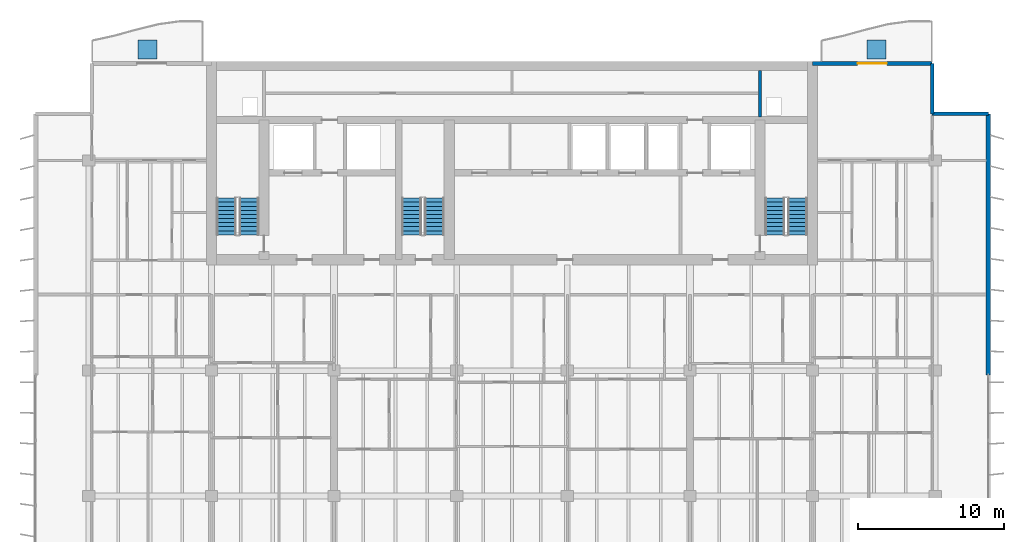
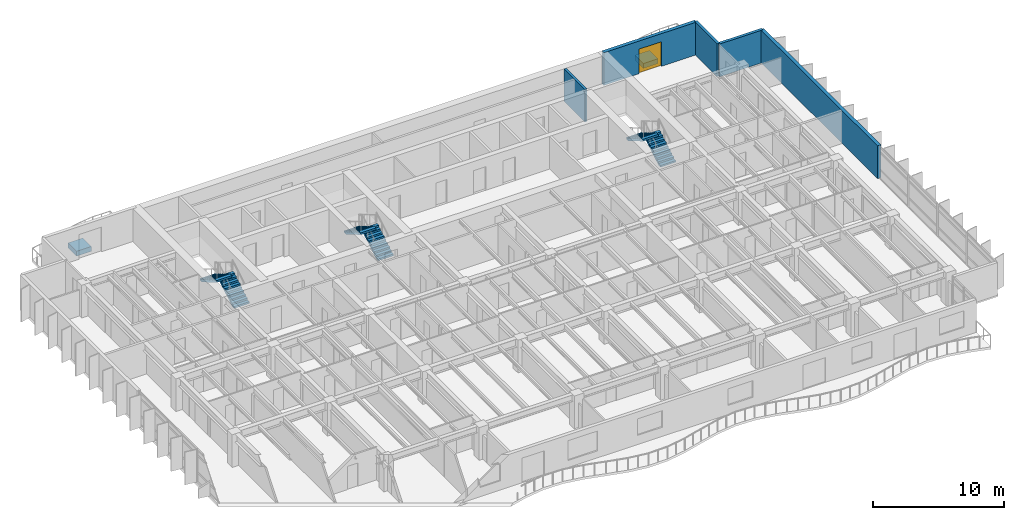
# One storey, part 14 of 18: 6 stair flights, 5 walls, 2 discrete accessories, 1 door, 1 opening, 3 elements without a shape of their own.
"""IFC4 building model written with IfcOpenShell, lengths in metres."""

import ifcopenshell
import ifcopenshell.guid

model = None  # the IFC model being written
_history = None  # IfcOwnerHistory: only IFC2X3 demands one
_inside = {}  # id of a spatial element -> (the spatial element, [elements in it])
_under = {}  # id of a project, library or spatial element -> (it, [spatial elements below it])
_declared = {}  # id of a project -> (the project, [libraries it declares])
_typed = {}  # id of a type object -> (the type object, [elements of that type])
_made_of = {}  # id of a material, layer set ... -> (it, [elements and type objects made of it])


def new_model(schema):
    """Start an empty IFC model of exactly this schema.

    Asked for "IFC4X3", IfcOpenShell would pick the latest addendum, in which some entities
    have other attributes; the version numbers below select the first issue.
    IFC2X3 requires an IfcOwnerHistory on every rooted entity: one is made here for all.
    """
    global model, _history
    if schema == "IFC4X3":
        model = ifcopenshell.file(schema_version=(4, 3, 0, 0))
    else:
        model = ifcopenshell.file(schema=schema)
    _inside.clear()
    _under.clear()
    _declared.clear()
    _typed.clear()
    _made_of.clear()
    _history = None
    if model.schema == "IFC2X3":
        org = make("IfcOrganization", Name="unknown")
        user = make(
            "IfcPersonAndOrganization",
            ThePerson=make("IfcPerson", FamilyName="unknown"),
            TheOrganization=org,
        )
        app = make(
            "IfcApplication",
            ApplicationDeveloper=org,
            Version="unknown",
            ApplicationFullName="unknown",
            ApplicationIdentifier="unknown",
        )
        _history = make(
            "IfcOwnerHistory",
            OwningUser=user,
            OwningApplication=app,
            ChangeAction="ADDED",
            CreationDate=0,
        )
    return model


def make(cls, **values):
    """One entity of the class cls with the attributes given. An attribute that is None is left unset."""
    return model.create_entity(
        cls, **{name: value for name, value in values.items() if value is not None}
    )


def rooted(cls, **values):
    """An entity with a GlobalId (a new one), such as an element, a storey or a relation."""
    return make(cls, GlobalId=ifcopenshell.guid.new(), OwnerHistory=_history, **values)


def si_unit(unit_type, name, prefix=None):
    """IfcSIUnit, for example si_unit("LENGTHUNIT", "METRE", prefix="MILLI")."""
    return make("IfcSIUnit", UnitType=unit_type, Prefix=prefix, Name=name)


def assignment(units):
    """IfcUnitAssignment: the units of a project."""
    return None if units is None else make("IfcUnitAssignment", Units=units)


def point(xyz):
    """IfcCartesianPoint."""
    return None if xyz is None else make("IfcCartesianPoint", Coordinates=xyz)


def direction(xyz):
    """IfcDirection."""
    return None if xyz is None else make("IfcDirection", DirectionRatios=xyz)


def frame(location, z_axis=None, x_axis=None):
    """IfcAxis2Placement3D, a coordinate frame: its origin and axes. An axis left out is left unset."""
    return make(
        "IfcAxis2Placement3D",
        Location=point(location),
        Axis=direction(z_axis),
        RefDirection=direction(x_axis),
    )


def frame_2d(location, x_axis=None):
    """IfcAxis2Placement2D, a coordinate frame in the plane: its origin and x axis."""
    return make(
        "IfcAxis2Placement2D", Location=point(location), RefDirection=direction(x_axis)
    )


def origin():
    """The frame at (0, 0, 0) with its axes left unset."""
    return frame((0.0, 0.0, 0.0))


def origin_2d():
    """The frame at (0, 0) in the plane with its x axis left unset."""
    return frame_2d((0.0, 0.0))


def place(relative_to, where):
    """IfcLocalPlacement: puts the frame where relative to a parent placement (None: the world)."""
    return make(
        "IfcLocalPlacement", PlacementRelTo=relative_to, RelativePlacement=where
    )


def context(
    kind, dimensions, precision=None, world=None, true_north=None, identifier=None
):
    """IfcGeometricRepresentationContext, for example the 3D "Model" context."""
    return make(
        "IfcGeometricRepresentationContext",
        ContextIdentifier=identifier,
        ContextType=kind,
        CoordinateSpaceDimension=dimensions,
        Precision=precision,
        WorldCoordinateSystem=world,
        TrueNorth=true_north,
    )


def subcontext(parent, identifier, kind, view, scale=None):
    """IfcGeometricRepresentationSubContext, for example "Body" below "Model"."""
    return make(
        "IfcGeometricRepresentationSubContext",
        ContextIdentifier=identifier,
        ContextType=kind,
        ParentContext=parent,
        TargetScale=scale,
        TargetView=view,
    )


def project(units=None, contexts=None):
    """IfcProject with its units and contexts."""
    return rooted(
        "IfcProject",
        Name="project",
        RepresentationContexts=contexts,
        UnitsInContext=assignment(units),
    )


def spatial(cls, under=None, at=None, **own):
    """A site, building, storey or space (cls), placed at a placement, below another one or the project."""
    s = rooted(cls, ObjectPlacement=at, **own)
    if under is not None:
        _under.setdefault(under.id(), (under, []))[1].append(s)
    return s


def polyline(points):
    """IfcPolyline through the points."""
    return make("IfcPolyline", Points=[point(p) for p in points])


def profile(cls, at=None, kind="AREA", **sizes):
    """A parametric profile (cls). Its sizes go by their IFC names, for example OverallWidth=200.0."""
    return make(cls, ProfileType=kind, Position=at, **sizes)


def rectangle(**sizes):
    """IfcRectangleProfileDef."""
    return profile("IfcRectangleProfileDef", **sizes)


def outline(outer, holes=None, kind="AREA"):
    """IfcArbitraryClosedProfileDef: a profile drawn as a closed curve; with holes, ...WithVoids."""
    if holes is None:
        return make("IfcArbitraryClosedProfileDef", ProfileType=kind, OuterCurve=outer)
    return make(
        "IfcArbitraryProfileDefWithVoids",
        ProfileType=kind,
        OuterCurve=outer,
        InnerCurves=holes,
    )


def extrude(swept, where, along, depth):
    """IfcExtrudedAreaSolid: the profile swept, set in the frame where, extruded along a direction by depth."""
    return make(
        "IfcExtrudedAreaSolid",
        SweptArea=swept,
        Position=where,
        ExtrudedDirection=direction(along),
        Depth=depth,
    )


def shape(context_of_items, identifier, shape_type, items):
    """IfcShapeRepresentation: the items that make up one representation, for example the "Body"."""
    return make(
        "IfcShapeRepresentation",
        ContextOfItems=context_of_items,
        RepresentationIdentifier=identifier,
        RepresentationType=shape_type,
        Items=items,
    )


def material(Name=None, Category=None):
    """IfcMaterial."""
    return make("IfcMaterial", Name=Name, Category=Category)


def layer(
    of_material, thickness, ventilated=None, Name=None, Category=None, Priority=None
):
    """IfcMaterialLayer: one layer of a wall or slab, of a material (None: an air gap)."""
    return make(
        "IfcMaterialLayer",
        Material=of_material,
        LayerThickness=thickness,
        IsVentilated=ventilated,
        Name=Name,
        Category=Category,
        Priority=Priority,
    )


def layer_set(layers, Name=None):
    """IfcMaterialLayerSet."""
    return make("IfcMaterialLayerSet", MaterialLayers=layers, LayerSetName=Name)


def made_of(thing, what):
    """Note that an element or type object is made of a material, layer set ...; save() writes the relation."""
    if what is not None:
        _made_of.setdefault(what.id(), (what, []))[1].append(thing)
    return thing


def type_object(cls, material=None, **own):
    """A type object (cls), such as IfcWallType, which elements share."""
    return made_of(rooted(cls, **own), material)


def element(
    cls,
    number,
    at=None,
    inside=None,
    cuts=None,
    type_object=None,
    material=None,
    context=None,
    identifier="Body",
    shape_type=None,
    held_by="IfcProductDefinitionShape",
    body=None,
    shapes=None,
    **own,
):
    """One element of the class cls, such as IfcWall. Its Tag is "e" and its number.

    at: its placement. inside: the storey or other place that contains it. cuts: it is an
    opening in that element (IfcRelVoidsElement). A single representation is given by context,
    identifier, shape_type and body (its items); several are given by shapes. held_by: the class
    of the entity that holds the representations. save() writes the other relations.
    """
    e = rooted(cls, Tag="e%d" % number, ObjectPlacement=at, **own)
    if body is not None:
        shapes = [shape(context, identifier, shape_type, body)]
    if shapes is not None:
        e.Representation = make(held_by, Representations=shapes)
    if inside is not None:
        _inside.setdefault(inside.id(), (inside, []))[1].append(e)
    if cuts is not None:
        rooted(
            "IfcRelVoidsElement", RelatingBuildingElement=cuts, RelatedOpeningElement=e
        )
    if type_object is not None:
        _typed.setdefault(type_object.id(), (type_object, []))[1].append(e)
    return made_of(e, material)


def fill(opening, filler):
    """IfcRelFillsElement: the door or window that sits in an opening."""
    return rooted(
        "IfcRelFillsElement",
        RelatingOpeningElement=opening,
        RelatedBuildingElement=filler,
    )


def aggregate(whole, parts):
    """IfcRelAggregates: a whole, such as a stair, and the parts it consists of."""
    return rooted("IfcRelAggregates", RelatingObject=whole, RelatedObjects=parts)


def save(model, path):
    """Write the relations noted so far, then the file.

    IfcRelAggregates (storeys below a building ...), IfcRelContainedInSpatialStructure (elements
    in a storey), IfcRelDefinesByType, IfcRelAssociatesMaterial and IfcRelDeclares: one each for
    every whole, place, type object, material and project.
    """
    for whole, parts in _under.values():
        aggregate(whole, parts)
    for where, things in _inside.values():
        rooted(
            "IfcRelContainedInSpatialStructure",
            RelatedElements=things,
            RelatingStructure=where,
        )
    for kind, things in _typed.values():
        rooted("IfcRelDefinesByType", RelatedObjects=things, RelatingType=kind)
    for what, things in _made_of.values():
        rooted("IfcRelAssociatesMaterial", RelatedObjects=things, RelatingMaterial=what)
    for by, libraries in _declared.values():
        rooted("IfcRelDeclares", RelatingContext=by, RelatedDefinitions=libraries)
    model.write(path)


model = new_model("IFC4")

# Units and contexts
model_context = context("Model", 3, precision=1e-05, world=origin(), true_north=direction((0.0, 1.0)))
body_context = subcontext(model_context, "Body", "Model", "MODEL_VIEW")
ifc_project = project(units=[si_unit("LENGTHUNIT", "METRE"), si_unit("AREAUNIT", "SQUARE_METRE"), si_unit("VOLUMEUNIT", "CUBIC_METRE"), si_unit("PLANEANGLEUNIT", "RADIAN"), si_unit("MASSUNIT", "GRAM", prefix="KILO")], contexts=[model_context])

# Site, building, storey
site_placement = place(None, origin())
site = spatial("IfcSite", under=ifc_project, at=site_placement, CompositionType="ELEMENT")
building_placement = place(site_placement, origin())
building = spatial("IfcBuilding", under=site, at=building_placement, Name="Caelmar Bay Residences", CompositionType="ELEMENT")
storey_placement = place(building_placement, frame((0.0, 0.0, 177.0)))
storey = spatial("IfcBuildingStorey", under=building, at=storey_placement, Name="L49", CompositionType="ELEMENT", Elevation=177.0)

# Walls
ifc_material_1 = material(Name="Precast concrete f'c 40 MPa (6,000 psi)", Category="concrete")
ifc_layer_1 = layer(ifc_material_1, 0.25)
ifc_layer_set_1 = layer_set([ifc_layer_1], Name="Precast concrete f'c 40 MPa (6,000 psi)")
wall_type_1 = type_object("IfcWallType", Name="W-EXT-250", PredefinedType="ELEMENTEDWALL", material=ifc_layer_set_1)
wall_1_placement = place(storey_placement, frame((67.699951171875, 50.449951171875, 0.0), z_axis=(0.0, 0.0, 1.0), x_axis=(0.0, -1.0, 0.0)))
element("IfcWall", 1, at=wall_1_placement, inside=storey, type_object=wall_type_1, Name="L49 NNE-V Notch Wall", PredefinedType="ELEMENTEDWALL", context=body_context, shape_type="SweptSolid", body=[
    extrude(rectangle(XDim=3.449951171875, YDim=0.25, at=frame_2d((1.72509765625, 0.0))), origin(), (0.0, 0.0, 1.0), 3.050048828125),
])
wall_2_placement = place(storey_placement, frame((67.699951171875, 47.0, 0.0), z_axis=(0.0, 0.0, 1.0), x_axis=(1.0, 0.0, 0.0)))
element("IfcWall", 2, at=wall_2_placement, inside=storey, type_object=wall_type_1, Name="L49 NNE-H Notch Wall", PredefinedType="ELEMENTEDWALL", context=body_context, shape_type="SweptSolid", body=[
    extrude(rectangle(XDim=3.85009765625, YDim=0.25, at=frame_2d((1.925048828125, 0.0))), origin(), (0.0, 0.0, 1.0), 3.050048828125),
])
ifc_layer_2 = layer(ifc_material_1, 0.300048828125)
ifc_layer_set_2 = layer_set([ifc_layer_2], Name="Precast concrete f'c 40 MPa (6,000 psi)")
wall_type_2 = type_object("IfcWallType", Name="W-EXT-300", PredefinedType="STANDARD", material=ifc_layer_set_2)
wall_3_placement = place(storey_placement, frame((71.550048828125, 47.0, 0.0), z_axis=(0.0, 0.0, 1.0), x_axis=(0.0, -1.0, 0.0)))
element("IfcWall", 3, at=wall_3_placement, inside=storey, type_object=wall_type_2, Name="L49 East Rear Exterior Wall", PredefinedType="STANDARD", context=body_context, shape_type="SweptSolid", body=[
    extrude(rectangle(XDim=17.89990234375, YDim=0.300048828125, at=frame_2d((8.949951171875, 0.0))), origin(), (0.0, 0.0, 1.0), 3.050048828125),
])

# Wall, opening, door
wall_4_placement = place(storey_placement, frame((59.5, 50.449951171875, 0.0), z_axis=(0.0, 0.0, 1.0), x_axis=(1.0, 0.0, 0.0)))
wall_4 = element("IfcWall", 4, at=wall_4_placement, inside=storey, type_object=wall_type_2, Name="L49 North-East Wing Exterior Wall", PredefinedType="STANDARD", context=body_context, shape_type="SweptSolid", body=[
    extrude(rectangle(XDim=8.199951171875, YDim=0.300048828125, at=frame_2d((4.10009765625, 0.0))), origin(), (0.0, 0.0, 1.0), 3.050048828125),
])
opening_placement = place(wall_4_placement, frame((3.10009765625, 0.0, 0.0)))
opening = element("IfcOpeningElement", 5, at=opening_placement, cuts=wall_4, Name="Opening L49-BDNE", PredefinedType="OPENING", context=body_context, shape_type="SweptSolid", body=[
    extrude(rectangle(XDim=2.0, YDim=2.300048828125, at=frame_2d((1.0, 1.14990234375))), frame((0.0, 0.159912109375, 0.0), z_axis=(0.0, -1.0, 0.0), x_axis=(1.0, 0.0, 0.0)), (0.0, 0.0, 1.0), 0.320068359375),
])
ifc_material_2 = material(Name="Anodised bronze thermally broken sliding glass door", Category="glass")
ifc_layer_3 = layer(ifc_material_2, 0.050048828125)
ifc_layer_set_3 = layer_set([ifc_layer_3], Name="Anodised bronze thermally broken sliding glass door")
door_type = type_object("IfcDoorType", Name="D-BAL-2000", OperationType="DOUBLE_DOOR_SLIDING", PredefinedType="DOOR", material=ifc_layer_set_3)
door_placement = place(opening_placement, origin())
door = element("IfcDoor", 6, at=door_placement, inside=storey, type_object=door_type, Name="L49 North-East Balcony Door", OperationType="DOUBLE_DOOR_SLIDING", OverallHeight=2.300048828125, OverallWidth=2.0, PredefinedType="DOOR", context=body_context, shape_type="SweptSolid", body=[
    extrude(rectangle(XDim=2.0, YDim=2.300048828125, at=frame_2d((1.0, 1.14990234375))), frame((0.0, 0.02490234375, 0.0), z_axis=(0.0, -1.0, 0.0), x_axis=(1.0, 0.0, 0.0)), (0.0, 0.0, 1.0), 0.050048828125),
])
fill(opening, door)

# Wall
ifc_material_3 = material(Name="Fire-rated masonry and gypsum shaftliner assembly 200 mm", Category="masonry")
ifc_layer_4 = layer(ifc_material_3, 0.199951171875)
ifc_layer_set_4 = layer_set([ifc_layer_4], Name="Fire-rated masonry and gypsum shaftliner assembly 200 mm")
wall_type_3 = type_object("IfcWallType", Name="W-FSAE-200", PredefinedType="PARTITIONING", material=ifc_layer_set_4)
wall_5_placement = place(storey_placement, frame((55.89990234375, 46.794921875, 0.0), z_axis=(0.0, 0.0, 1.0), x_axis=(0.0, 1.0, 0.0)))
element("IfcWall", 7, at=wall_5_placement, inside=storey, type_object=wall_type_3, Name="L49 Partition Wall V079", PredefinedType="PARTITIONING", context=body_context, shape_type="SweptSolid", body=[
    extrude(rectangle(XDim=3.16015625, YDim=0.199951171875, at=frame_2d((1.580078125, 0.0))), origin(), (0.0, 0.0, 1.0), 3.050048828125),
])

# Stair, stair flights
ifc_material_4 = material(Name="Concrete f'c 40 MPa (6,000 psi)", Category="concrete")
stair_type = type_object("IfcStairType", Name="ST-TYP-165", PredefinedType="HALF_TURN_STAIR", material=ifc_material_4)
stair_1_placement = place(storey_placement, origin())
stair_1 = element("IfcStair", 8, at=stair_1_placement, inside=storey, type_object=stair_type, Name="L49 West Smokeproof Exit Stair ST1", PredefinedType="HALF_TURN_STAIR")
stair_flight_type = type_object("IfcStairFlightType", Name="STF-1350", PredefinedType="STRAIGHT", material=ifc_material_4)
stair_flight_1_placement = place(storey_placement, frame((20.875, 38.699951171875, 0.0), z_axis=(0.0, 0.0, 1.0), x_axis=(0.0, 1.0, 0.0)))
stair_flight_1 = element("IfcStairFlight", 9, at=stair_flight_1_placement, type_object=stair_flight_type, Name="ST1 flight 1", NumberOfRisers=10, NumberOfTreads=9, PredefinedType="STRAIGHT", RiserHeight=0.165, TreadLength=0.28, context=body_context, shape_type="SweptSolid", body=[
    extrude(outline(polyline([(0.0, 0.0), (0.0, 0.1650390625), (0.280029296875, 0.1650390625), (0.280029296875, 0.330078125), (0.56005859375, 0.330078125), (0.56005859375, 0.4951171875), (0.840087890625, 0.4951171875), (0.840087890625, 0.659912109375), (1.1201171875, 0.659912109375), (1.1201171875, 0.824951171875), (1.39990234375, 0.824951171875), (1.39990234375, 0.989990234375), (1.679931640625, 0.989990234375), (1.679931640625, 1.155029296875), (1.9599609375, 1.155029296875), (1.9599609375, 1.320068359375), (2.239990234375, 1.320068359375), (2.239990234375, 1.485107421875), (2.52001953125, 1.485107421875), (2.52001953125, 1.64990234375), (2.52001953125, 1.31103515625), (0.295166015625, 0.0), (0.0, 0.0)])), frame((0.0, 0.675048828125, 0.0), z_axis=(0.0, -1.0, 0.0), x_axis=(1.0, 0.0, 0.0)), (0.0, 0.0, 1.0), 1.35009765625),
])
stair_flight_2_placement = place(storey_placement, frame((19.324951171875, 41.219970703125, 1.64990234375), z_axis=(0.0, 0.0, 1.0), x_axis=(0.0, -1.0, 0.0)))
stair_flight_2 = element("IfcStairFlight", 10, at=stair_flight_2_placement, type_object=stair_flight_type, Name="ST1 flight 2", NumberOfRisers=10, NumberOfTreads=9, PredefinedType="STRAIGHT", RiserHeight=0.165, TreadLength=0.28, context=body_context, shape_type="SweptSolid", body=[
    extrude(outline(polyline([(0.0, 0.0), (0.0, 0.1650390625), (0.280029296875, 0.1650390625), (0.280029296875, 0.330078125), (0.56005859375, 0.330078125), (0.56005859375, 0.4951171875), (0.840087890625, 0.4951171875), (0.840087890625, 0.659912109375), (1.1201171875, 0.659912109375), (1.1201171875, 0.824951171875), (1.39990234375, 0.824951171875), (1.39990234375, 0.989990234375), (1.679931640625, 0.989990234375), (1.679931640625, 1.155029296875), (1.9599609375, 1.155029296875), (1.9599609375, 1.320068359375), (2.239990234375, 1.320068359375), (2.239990234375, 1.485107421875), (2.52001953125, 1.485107421875), (2.52001953125, 1.64990234375), (2.52001953125, 1.31103515625), (0.295166015625, 0.0), (0.0, 0.0)])), frame((0.0, 0.675048828125, 0.0), z_axis=(0.0, -1.0, 0.0), x_axis=(1.0, 0.0, 0.0)), (0.0, 0.0, 1.0), 1.35009765625),
])
aggregate(stair_1, [stair_flight_1, stair_flight_2])

stair_2_placement = place(storey_placement, origin())
stair_2 = element("IfcStair", 11, at=stair_2_placement, inside=storey, type_object=stair_type, Name="L49 East Smokeproof Exit Stair ST2", PredefinedType="HALF_TURN_STAIR")
stair_flight_3_placement = place(storey_placement, frame((58.47509765625, 38.699951171875, 0.0), z_axis=(0.0, 0.0, 1.0), x_axis=(0.0, 1.0, 0.0)))
stair_flight_3 = element("IfcStairFlight", 12, at=stair_flight_3_placement, type_object=stair_flight_type, Name="ST2 flight 1", NumberOfRisers=10, NumberOfTreads=9, PredefinedType="STRAIGHT", RiserHeight=0.165, TreadLength=0.28, context=body_context, shape_type="SweptSolid", body=[
    extrude(outline(polyline([(0.0, 0.0), (0.0, 0.1650390625), (0.280029296875, 0.1650390625), (0.280029296875, 0.330078125), (0.56005859375, 0.330078125), (0.56005859375, 0.4951171875), (0.840087890625, 0.4951171875), (0.840087890625, 0.659912109375), (1.1201171875, 0.659912109375), (1.1201171875, 0.824951171875), (1.39990234375, 0.824951171875), (1.39990234375, 0.989990234375), (1.679931640625, 0.989990234375), (1.679931640625, 1.155029296875), (1.9599609375, 1.155029296875), (1.9599609375, 1.320068359375), (2.239990234375, 1.320068359375), (2.239990234375, 1.485107421875), (2.52001953125, 1.485107421875), (2.52001953125, 1.64990234375), (2.52001953125, 1.31103515625), (0.295166015625, 0.0), (0.0, 0.0)])), frame((0.0, 0.675048828125, 0.0), z_axis=(0.0, -1.0, 0.0), x_axis=(1.0, 0.0, 0.0)), (0.0, 0.0, 1.0), 1.35009765625),
])
stair_flight_4_placement = place(storey_placement, frame((56.925048828125, 41.219970703125, 1.64990234375), z_axis=(0.0, 0.0, 1.0), x_axis=(0.0, -1.0, 0.0)))
stair_flight_4 = element("IfcStairFlight", 13, at=stair_flight_4_placement, type_object=stair_flight_type, Name="ST2 flight 2", NumberOfRisers=10, NumberOfTreads=9, PredefinedType="STRAIGHT", RiserHeight=0.165, TreadLength=0.28, context=body_context, shape_type="SweptSolid", body=[
    extrude(outline(polyline([(0.0, 0.0), (0.0, 0.1650390625), (0.280029296875, 0.1650390625), (0.280029296875, 0.330078125), (0.56005859375, 0.330078125), (0.56005859375, 0.4951171875), (0.840087890625, 0.4951171875), (0.840087890625, 0.659912109375), (1.1201171875, 0.659912109375), (1.1201171875, 0.824951171875), (1.39990234375, 0.824951171875), (1.39990234375, 0.989990234375), (1.679931640625, 0.989990234375), (1.679931640625, 1.155029296875), (1.9599609375, 1.155029296875), (1.9599609375, 1.320068359375), (2.239990234375, 1.320068359375), (2.239990234375, 1.485107421875), (2.52001953125, 1.485107421875), (2.52001953125, 1.64990234375), (2.52001953125, 1.31103515625), (0.295166015625, 0.0), (0.0, 0.0)])), frame((0.0, 0.675048828125, 0.0), z_axis=(0.0, -1.0, 0.0), x_axis=(1.0, 0.0, 0.0)), (0.0, 0.0, 1.0), 1.35009765625),
])
aggregate(stair_2, [stair_flight_3, stair_flight_4])

stair_3_placement = place(storey_placement, origin())
stair_3 = element("IfcStair", 14, at=stair_3_placement, inside=storey, type_object=stair_type, Name="L49 Central Smokeproof Exit Stair ST3", PredefinedType="HALF_TURN_STAIR")
stair_flight_5_placement = place(storey_placement, frame((33.574951171875, 38.699951171875, 0.0), z_axis=(0.0, 0.0, 1.0), x_axis=(0.0, 1.0, 0.0)))
stair_flight_5 = element("IfcStairFlight", 15, at=stair_flight_5_placement, type_object=stair_flight_type, Name="ST3 flight 1", NumberOfRisers=10, NumberOfTreads=9, PredefinedType="STRAIGHT", RiserHeight=0.165, TreadLength=0.28, context=body_context, shape_type="SweptSolid", body=[
    extrude(outline(polyline([(0.0, 0.0), (0.0, 0.1650390625), (0.280029296875, 0.1650390625), (0.280029296875, 0.330078125), (0.56005859375, 0.330078125), (0.56005859375, 0.4951171875), (0.840087890625, 0.4951171875), (0.840087890625, 0.659912109375), (1.1201171875, 0.659912109375), (1.1201171875, 0.824951171875), (1.39990234375, 0.824951171875), (1.39990234375, 0.989990234375), (1.679931640625, 0.989990234375), (1.679931640625, 1.155029296875), (1.9599609375, 1.155029296875), (1.9599609375, 1.320068359375), (2.239990234375, 1.320068359375), (2.239990234375, 1.485107421875), (2.52001953125, 1.485107421875), (2.52001953125, 1.64990234375), (2.52001953125, 1.31103515625), (0.295166015625, 0.0), (0.0, 0.0)])), frame((0.0, 0.675048828125, 0.0), z_axis=(0.0, -1.0, 0.0), x_axis=(1.0, 0.0, 0.0)), (0.0, 0.0, 1.0), 1.35009765625),
])
stair_flight_6_placement = place(storey_placement, frame((32.02490234375, 41.219970703125, 1.64990234375), z_axis=(0.0, 0.0, 1.0), x_axis=(0.0, -1.0, 0.0)))
stair_flight_6 = element("IfcStairFlight", 16, at=stair_flight_6_placement, type_object=stair_flight_type, Name="ST3 flight 2", NumberOfRisers=10, NumberOfTreads=9, PredefinedType="STRAIGHT", RiserHeight=0.165, TreadLength=0.28, context=body_context, shape_type="SweptSolid", body=[
    extrude(outline(polyline([(0.0, 0.0), (0.0, 0.1650390625), (0.280029296875, 0.1650390625), (0.280029296875, 0.330078125), (0.56005859375, 0.330078125), (0.56005859375, 0.4951171875), (0.840087890625, 0.4951171875), (0.840087890625, 0.659912109375), (1.1201171875, 0.659912109375), (1.1201171875, 0.824951171875), (1.39990234375, 0.824951171875), (1.39990234375, 0.989990234375), (1.679931640625, 0.989990234375), (1.679931640625, 1.155029296875), (1.9599609375, 1.155029296875), (1.9599609375, 1.320068359375), (2.239990234375, 1.320068359375), (2.239990234375, 1.485107421875), (2.52001953125, 1.485107421875), (2.52001953125, 1.64990234375), (2.52001953125, 1.31103515625), (0.295166015625, 0.0), (0.0, 0.0)])), frame((0.0, 0.675048828125, 0.0), z_axis=(0.0, -1.0, 0.0), x_axis=(1.0, 0.0, 0.0)), (0.0, 0.0, 1.0), 1.35009765625),
])
aggregate(stair_3, [stair_flight_5, stair_flight_6])

# Discrete accessories
discrete_accessory_type = type_object("IfcDiscreteAccessoryType", Name="STR-PLANTER-KERB-450", PredefinedType="USERDEFINED", material=ifc_material_1)
for number, where, z_axis, x_axis, name in (
    (17, (13.89990234375, 51.39990234375, 0.0), (0.0, 0.0, 1.0), (1.0, 0.0, 0.0), "L49 north_west Structural Tree Planter Kerb"),
    (18, (63.89990234375, 51.39990234375, 0.0), (0.0, 0.0, 1.0), (1.0, 0.0, 0.0), "L49 north_east Structural Tree Planter Kerb"),
):
    element("IfcDiscreteAccessory", number, at=place(storey_placement, frame(where, z_axis=z_axis, x_axis=x_axis)), inside=storey, type_object=discrete_accessory_type, Name=name, ObjectType="PLANTER", PredefinedType="USERDEFINED", context=body_context, shape_type="SweptSolid", body=[
        extrude(rectangle(XDim=1.300048828125, YDim=1.300048828125, at=origin_2d()), origin(), (0.0, 0.0, 1.0), 0.449951171875),
    ])

save(model, "model.ifc")
